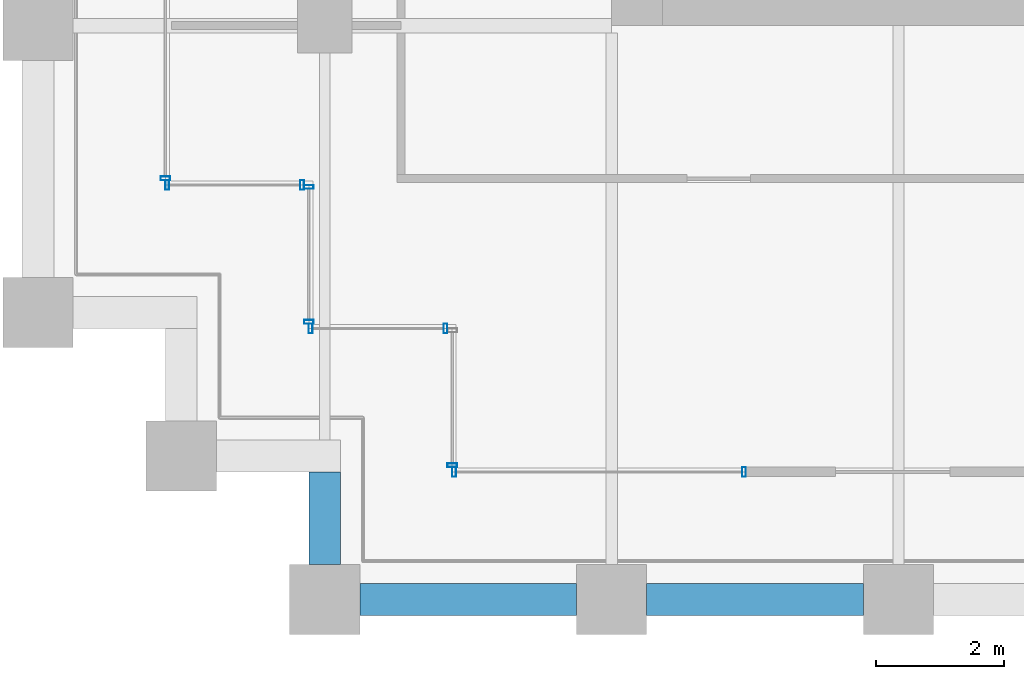
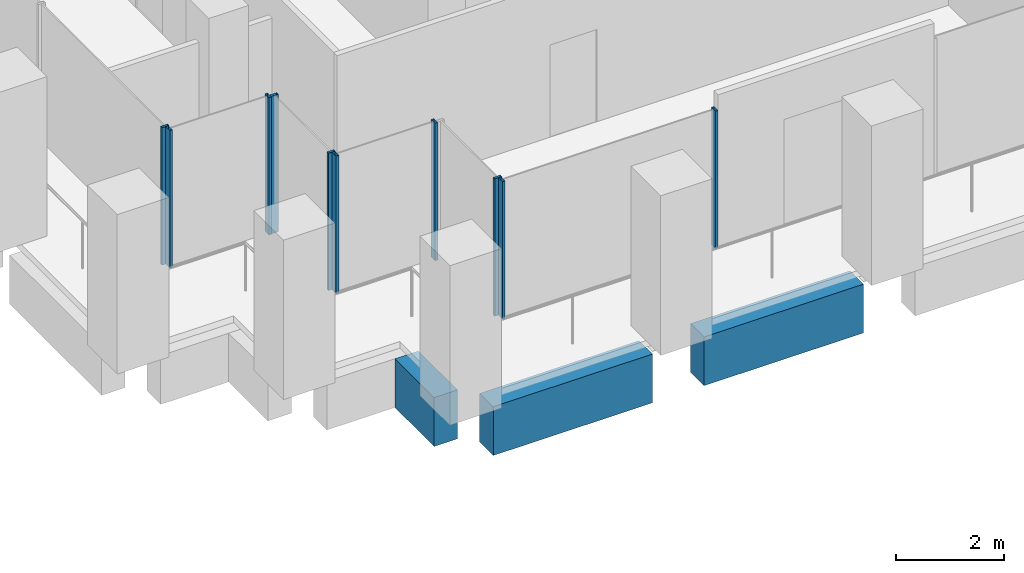
# One storey, part 34 of 56: 10 members, 3 beams, 6 elements without a shape of their own.
"""IFC4 building model written with IfcOpenShell, lengths in metres."""

from ifc_helpers import new_model, si_unit, direction, frame, origin, origin_2d, place, context, subcontext, project, spatial, rectangle, hollow_rectangle, extrude, material, material_profile, profile_set, type_object, element, aggregate, save


model = new_model("IFC4")

# Units and contexts
model_context = context("Model", 3, precision=1e-05, world=origin(), true_north=direction((0.0, 1.0)))
body_context = subcontext(model_context, "Body", "Model", "MODEL_VIEW")
ifc_project = project(units=[si_unit("LENGTHUNIT", "METRE"), si_unit("AREAUNIT", "SQUARE_METRE"), si_unit("VOLUMEUNIT", "CUBIC_METRE"), si_unit("PLANEANGLEUNIT", "RADIAN"), si_unit("MASSUNIT", "GRAM", prefix="KILO")], contexts=[model_context])

# Site, building, storey
site_placement = place(None, origin())
site = spatial("IfcSite", under=ifc_project, at=site_placement, CompositionType="ELEMENT")
building_placement = place(site_placement, origin())
building = spatial("IfcBuilding", under=site, at=building_placement, Name="Altepetl Exchange Towers", CompositionType="ELEMENT")
storey_placement = place(building_placement, frame((0.0, 0.0, 79.800048828125)))
storey = spatial("IfcBuildingStorey", under=building, at=storey_placement, Name="L19", CompositionType="ELEMENT", Elevation=79.800048828125)

# Curtain wall, member
ifc_material_1 = material(Name="Aluminium 6063-T6 glazing", Category="aluminium")
curtain_wall_type = type_object("IfcCurtainWallType", Name="Loggia glazing system", PredefinedType="NOTDEFINED", material=ifc_material_1)
curtain_wall_1_placement = place(storey_placement, origin())
curtain_wall_1 = element("IfcCurtainWall", 1, at=curtain_wall_1_placement, inside=storey, type_object=curtain_wall_type, Name="CW1 run", PredefinedType="NOTDEFINED")
ifc_material_2 = material(Name="Aluminium 6063-T6", Category="aluminium")
ifc_material_profile_1 = material_profile(ifc_material_2, hollow_rectangle(XDim=0.06005859375, YDim=0.14990234375, WallThickness=0.0029296875, at=origin_2d()), Name="Mullion 60x150 aluminium")
ifc_profile_set_1 = profile_set([ifc_material_profile_1], Name="Aluminium 6063-T6")
member_type = type_object("IfcMemberType", Name="Mullion 60x150 aluminium", PredefinedType="MULLION", material=ifc_profile_set_1)
member_1_placement = place(storey_placement, frame((96.5, 33.60498046875, 0.0), z_axis=(0.0, 0.0, 1.0), x_axis=(0.0, -1.0, 0.0)))
member_1 = element("IfcMember", 2, at=member_1_placement, type_object=member_type, Name="MU1 mullion", PredefinedType="MULLION", context=body_context, shape_type="SweptSolid", body=[
    extrude(hollow_rectangle(XDim=0.06005859375, YDim=0.14990234375, WallThickness=0.0029296875, at=origin_2d()), origin(), (0.0, 0.0, 1.0), 3.099853515625),
])
aggregate(curtain_wall_1, [member_1])

# Curtain wall, members
curtain_wall_2_placement = place(storey_placement, origin())
curtain_wall_2 = element("IfcCurtainWall", 3, at=curtain_wall_2_placement, inside=storey, type_object=curtain_wall_type, Name="CW1 run", PredefinedType="NOTDEFINED")
member_2_placement = place(storey_placement, frame((96.530029296875, 33.5, 0.0)))
member_2 = element("IfcMember", 4, at=member_2_placement, type_object=member_type, Name="MU1 mullion", PredefinedType="MULLION", context=body_context, shape_type="SweptSolid", body=[
    extrude(hollow_rectangle(XDim=0.06005859375, YDim=0.14990234375, WallThickness=0.0029296875, at=origin_2d()), origin(), (0.0, 0.0, 1.0), 3.099853515625),
])
member_3_placement = place(storey_placement, frame((98.64501953125, 33.5, 0.0)))
member_3 = element("IfcMember", 5, at=member_3_placement, type_object=member_type, Name="MU1 mullion", PredefinedType="MULLION", context=body_context, shape_type="SweptSolid", body=[
    extrude(hollow_rectangle(XDim=0.06005859375, YDim=0.14990234375, WallThickness=0.0029296875, at=origin_2d()), origin(), (0.0, 0.0, 1.0), 3.099853515625),
])
aggregate(curtain_wall_2, [member_2, member_3])

curtain_wall_3_placement = place(storey_placement, origin())
curtain_wall_3 = element("IfcCurtainWall", 6, at=curtain_wall_3_placement, inside=storey, type_object=curtain_wall_type, Name="CW1 run", PredefinedType="NOTDEFINED")
member_4_placement = place(storey_placement, frame((98.75, 33.469970703125, 0.0), z_axis=(0.0, 0.0, 1.0), x_axis=(0.0, -1.0, 0.0)))
member_4 = element("IfcMember", 7, at=member_4_placement, type_object=member_type, Name="MU1 mullion", PredefinedType="MULLION", context=body_context, shape_type="SweptSolid", body=[
    extrude(hollow_rectangle(XDim=0.06005859375, YDim=0.14990234375, WallThickness=0.0029296875, at=origin_2d()), origin(), (0.0, 0.0, 1.0), 3.099853515625),
])
member_5_placement = place(storey_placement, frame((98.75, 31.35498046875, 0.0), z_axis=(0.0, 0.0, 1.0), x_axis=(0.0, -1.0, 0.0)))
member_5 = element("IfcMember", 8, at=member_5_placement, type_object=member_type, Name="MU1 mullion", PredefinedType="MULLION", context=body_context, shape_type="SweptSolid", body=[
    extrude(hollow_rectangle(XDim=0.06005859375, YDim=0.14990234375, WallThickness=0.0029296875, at=origin_2d()), origin(), (0.0, 0.0, 1.0), 3.099853515625),
])
aggregate(curtain_wall_3, [member_4, member_5])

curtain_wall_4_placement = place(storey_placement, origin())
curtain_wall_4 = element("IfcCurtainWall", 9, at=curtain_wall_4_placement, inside=storey, type_object=curtain_wall_type, Name="CW1 run", PredefinedType="NOTDEFINED")
member_6_placement = place(storey_placement, frame((98.780029296875, 31.25, 0.0)))
member_6 = element("IfcMember", 10, at=member_6_placement, type_object=member_type, Name="MU1 mullion", PredefinedType="MULLION", context=body_context, shape_type="SweptSolid", body=[
    extrude(hollow_rectangle(XDim=0.06005859375, YDim=0.14990234375, WallThickness=0.0029296875, at=origin_2d()), origin(), (0.0, 0.0, 1.0), 3.099853515625),
])
member_7_placement = place(storey_placement, frame((100.89501953125, 31.25, 0.0)))
member_7 = element("IfcMember", 11, at=member_7_placement, type_object=member_type, Name="MU1 mullion", PredefinedType="MULLION", context=body_context, shape_type="SweptSolid", body=[
    extrude(hollow_rectangle(XDim=0.06005859375, YDim=0.14990234375, WallThickness=0.0029296875, at=origin_2d()), origin(), (0.0, 0.0, 1.0), 3.099853515625),
])
aggregate(curtain_wall_4, [member_6, member_7])

# Curtain wall, member
curtain_wall_5_placement = place(storey_placement, origin())
curtain_wall_5 = element("IfcCurtainWall", 12, at=curtain_wall_5_placement, inside=storey, type_object=curtain_wall_type, Name="CW1 run", PredefinedType="NOTDEFINED")
member_8_placement = place(storey_placement, frame((101.0, 29.10498046875, 0.0), z_axis=(0.0, 0.0, 1.0), x_axis=(0.0, -1.0, 0.0)))
member_8 = element("IfcMember", 13, at=member_8_placement, type_object=member_type, Name="MU1 mullion", PredefinedType="MULLION", context=body_context, shape_type="SweptSolid", body=[
    extrude(hollow_rectangle(XDim=0.06005859375, YDim=0.14990234375, WallThickness=0.0029296875, at=origin_2d()), origin(), (0.0, 0.0, 1.0), 3.099853515625),
])
aggregate(curtain_wall_5, [member_8])

# Curtain wall, members
curtain_wall_6_placement = place(storey_placement, origin())
curtain_wall_6 = element("IfcCurtainWall", 14, at=curtain_wall_6_placement, inside=storey, type_object=curtain_wall_type, Name="CW1 run", PredefinedType="NOTDEFINED")
member_9_placement = place(storey_placement, frame((101.030029296875, 29.0, 0.0)))
member_9 = element("IfcMember", 15, at=member_9_placement, type_object=member_type, Name="MU1 mullion", PredefinedType="MULLION", context=body_context, shape_type="SweptSolid", body=[
    extrude(hollow_rectangle(XDim=0.06005859375, YDim=0.14990234375, WallThickness=0.0029296875, at=origin_2d()), origin(), (0.0, 0.0, 1.0), 3.099853515625),
])
member_10_placement = place(storey_placement, frame((105.576171875, 29.0, 0.0)))
member_10 = element("IfcMember", 16, at=member_10_placement, type_object=member_type, Name="MU1 mullion", PredefinedType="MULLION", context=body_context, shape_type="SweptSolid", body=[
    extrude(hollow_rectangle(XDim=0.06005859375, YDim=0.14990234375, WallThickness=0.0029296875, at=origin_2d()), origin(), (0.0, 0.0, 1.0), 3.099853515625),
])
aggregate(curtain_wall_6, [member_9, member_10])

# Beams
ifc_material_3 = material(Name="Concrete C50/60 precast with tezontle facing", Category="concrete")
ifc_material_profile_2 = material_profile(ifc_material_3, rectangle(XDim=0.5, YDim=1.10009765625, at=origin_2d()), Name="500 x 1100")
ifc_profile_set_2 = profile_set([ifc_material_profile_2], Name="Concrete C50/60 precast with tezontle facing")
beam_type = type_object("IfcBeamType", Name="Spandrel beam 500x1100 tezontle", PredefinedType="SPANDREL", material=ifc_profile_set_2)
for number, where, z_axis, x_axis, name in (
    (17, (99.550048828125, 27.0, -0.699951171875), (1.0, 0.0, 0.0), (0.0, 1.0, 0.0), "sp:B:L19:000"),
    (18, (104.050048828125, 27.0, -0.699951171875), (1.0, 0.0, 0.0), (0.0, 1.0, 0.0), "sp:B:L19:001"),
):
    element("IfcBeam", number, at=place(storey_placement, frame(where, z_axis=z_axis, x_axis=x_axis)), inside=storey, type_object=beam_type, Name=name, PredefinedType="SPANDREL", context=body_context, shape_type="SweptSolid", body=[
        extrude(rectangle(XDim=0.5, YDim=1.10009765625, at=origin_2d()), origin(), (0.0, 0.0, 1.0), 3.39990234375),
    ])
beam_placement = place(storey_placement, frame((99.0, 29.0, -0.699951171875), z_axis=(0.0, -1.0, 0.0), x_axis=(1.0, 0.0, 0.0)))
element("IfcBeam", 19, at=beam_placement, inside=storey, type_object=beam_type, Name="sp:B:L19:035", PredefinedType="SPANDREL", context=body_context, shape_type="SweptSolid", body=[
    extrude(rectangle(XDim=0.5, YDim=1.10009765625, at=origin_2d()), origin(), (0.0, 0.0, 1.0), 1.449951171875),
])

save(model, "model.ifc")
